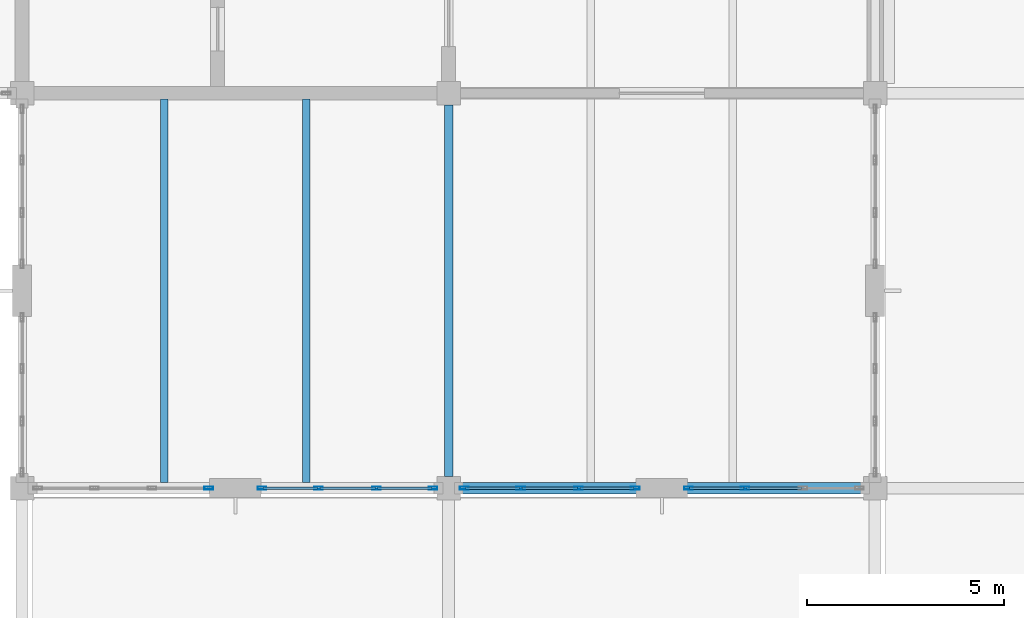
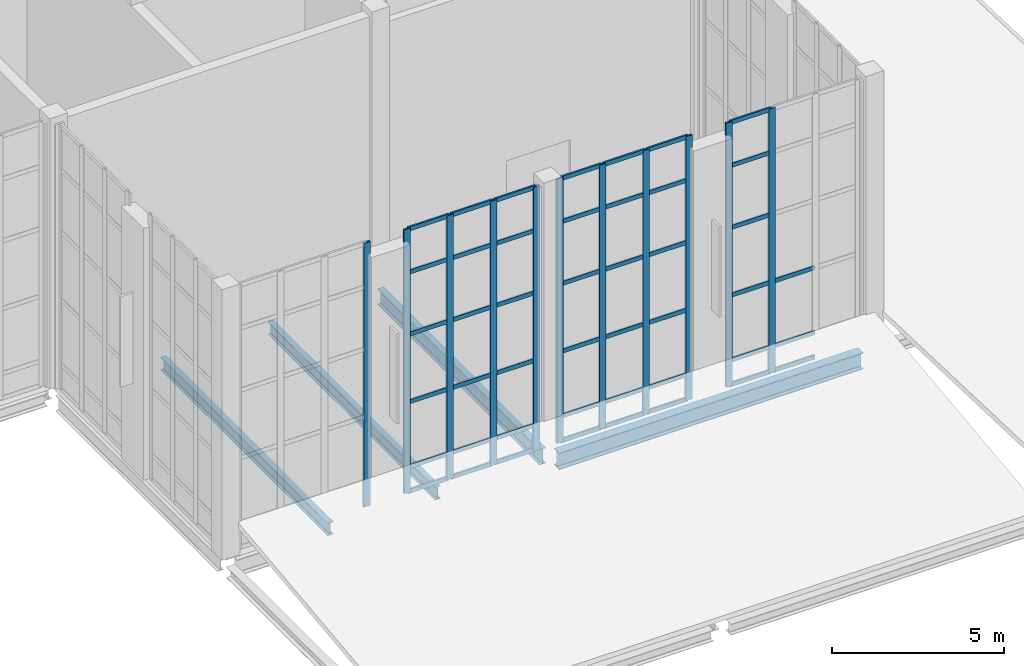
# One storey, part 35 of 100: 56 members, 4 beams, 4 elements without a shape of their own.
"""IFC4 building model written with IfcOpenShell, lengths in metres."""

import ifcopenshell
import ifcopenshell.guid

model = None  # the IFC model being written
_history = None  # IfcOwnerHistory: only IFC2X3 demands one
_inside = {}  # id of a spatial element -> (the spatial element, [elements in it])
_under = {}  # id of a project, library or spatial element -> (it, [spatial elements below it])
_declared = {}  # id of a project -> (the project, [libraries it declares])
_typed = {}  # id of a type object -> (the type object, [elements of that type])
_made_of = {}  # id of a material, layer set ... -> (it, [elements and type objects made of it])


def new_model(schema):
    """Start an empty IFC model of exactly this schema.

    Asked for "IFC4X3", IfcOpenShell would pick the latest addendum, in which some entities
    have other attributes; the version numbers below select the first issue.
    IFC2X3 requires an IfcOwnerHistory on every rooted entity: one is made here for all.
    """
    global model, _history
    if schema == "IFC4X3":
        model = ifcopenshell.file(schema_version=(4, 3, 0, 0))
    else:
        model = ifcopenshell.file(schema=schema)
    _inside.clear()
    _under.clear()
    _declared.clear()
    _typed.clear()
    _made_of.clear()
    _history = None
    if model.schema == "IFC2X3":
        org = make("IfcOrganization", Name="unknown")
        user = make(
            "IfcPersonAndOrganization",
            ThePerson=make("IfcPerson", FamilyName="unknown"),
            TheOrganization=org,
        )
        app = make(
            "IfcApplication",
            ApplicationDeveloper=org,
            Version="unknown",
            ApplicationFullName="unknown",
            ApplicationIdentifier="unknown",
        )
        _history = make(
            "IfcOwnerHistory",
            OwningUser=user,
            OwningApplication=app,
            ChangeAction="ADDED",
            CreationDate=0,
        )
    return model


def make(cls, **values):
    """One entity of the class cls with the attributes given. An attribute that is None is left unset."""
    return model.create_entity(
        cls, **{name: value for name, value in values.items() if value is not None}
    )


def rooted(cls, **values):
    """An entity with a GlobalId (a new one), such as an element, a storey or a relation."""
    return make(cls, GlobalId=ifcopenshell.guid.new(), OwnerHistory=_history, **values)


def si_unit(unit_type, name, prefix=None):
    """IfcSIUnit, for example si_unit("LENGTHUNIT", "METRE", prefix="MILLI")."""
    return make("IfcSIUnit", UnitType=unit_type, Prefix=prefix, Name=name)


def assignment(units):
    """IfcUnitAssignment: the units of a project."""
    return None if units is None else make("IfcUnitAssignment", Units=units)


def point(xyz):
    """IfcCartesianPoint."""
    return None if xyz is None else make("IfcCartesianPoint", Coordinates=xyz)


def direction(xyz):
    """IfcDirection."""
    return None if xyz is None else make("IfcDirection", DirectionRatios=xyz)


def frame(location, z_axis=None, x_axis=None):
    """IfcAxis2Placement3D, a coordinate frame: its origin and axes. An axis left out is left unset."""
    return make(
        "IfcAxis2Placement3D",
        Location=point(location),
        Axis=direction(z_axis),
        RefDirection=direction(x_axis),
    )


def frame_2d(location, x_axis=None):
    """IfcAxis2Placement2D, a coordinate frame in the plane: its origin and x axis."""
    return make(
        "IfcAxis2Placement2D", Location=point(location), RefDirection=direction(x_axis)
    )


def origin():
    """The frame at (0, 0, 0) with its axes left unset."""
    return frame((0.0, 0.0, 0.0))


def origin_2d():
    """The frame at (0, 0) in the plane with its x axis left unset."""
    return frame_2d((0.0, 0.0))


def place(relative_to, where):
    """IfcLocalPlacement: puts the frame where relative to a parent placement (None: the world)."""
    return make(
        "IfcLocalPlacement", PlacementRelTo=relative_to, RelativePlacement=where
    )


def context(
    kind, dimensions, precision=None, world=None, true_north=None, identifier=None
):
    """IfcGeometricRepresentationContext, for example the 3D "Model" context."""
    return make(
        "IfcGeometricRepresentationContext",
        ContextIdentifier=identifier,
        ContextType=kind,
        CoordinateSpaceDimension=dimensions,
        Precision=precision,
        WorldCoordinateSystem=world,
        TrueNorth=true_north,
    )


def subcontext(parent, identifier, kind, view, scale=None):
    """IfcGeometricRepresentationSubContext, for example "Body" below "Model"."""
    return make(
        "IfcGeometricRepresentationSubContext",
        ContextIdentifier=identifier,
        ContextType=kind,
        ParentContext=parent,
        TargetScale=scale,
        TargetView=view,
    )


def project(units=None, contexts=None):
    """IfcProject with its units and contexts."""
    return rooted(
        "IfcProject",
        Name="project",
        RepresentationContexts=contexts,
        UnitsInContext=assignment(units),
    )


def spatial(cls, under=None, at=None, **own):
    """A site, building, storey or space (cls), placed at a placement, below another one or the project."""
    s = rooted(cls, ObjectPlacement=at, **own)
    if under is not None:
        _under.setdefault(under.id(), (under, []))[1].append(s)
    return s


def profile(cls, at=None, kind="AREA", **sizes):
    """A parametric profile (cls). Its sizes go by their IFC names, for example OverallWidth=200.0."""
    return make(cls, ProfileType=kind, Position=at, **sizes)


def hollow_rectangle(**sizes):
    """IfcRectangleHollowProfileDef."""
    return profile("IfcRectangleHollowProfileDef", **sizes)


def i_section(**sizes):
    """IfcIShapeProfileDef."""
    return profile("IfcIShapeProfileDef", **sizes)


def extrude(swept, where, along, depth):
    """IfcExtrudedAreaSolid: the profile swept, set in the frame where, extruded along a direction by depth."""
    return make(
        "IfcExtrudedAreaSolid",
        SweptArea=swept,
        Position=where,
        ExtrudedDirection=direction(along),
        Depth=depth,
    )


def shape(context_of_items, identifier, shape_type, items):
    """IfcShapeRepresentation: the items that make up one representation, for example the "Body"."""
    return make(
        "IfcShapeRepresentation",
        ContextOfItems=context_of_items,
        RepresentationIdentifier=identifier,
        RepresentationType=shape_type,
        Items=items,
    )


def material(Name=None, Category=None):
    """IfcMaterial."""
    return make("IfcMaterial", Name=Name, Category=Category)


def layer(
    of_material, thickness, ventilated=None, Name=None, Category=None, Priority=None
):
    """IfcMaterialLayer: one layer of a wall or slab, of a material (None: an air gap)."""
    return make(
        "IfcMaterialLayer",
        Material=of_material,
        LayerThickness=thickness,
        IsVentilated=ventilated,
        Name=Name,
        Category=Category,
        Priority=Priority,
    )


def layer_set(layers, Name=None):
    """IfcMaterialLayerSet."""
    return make("IfcMaterialLayerSet", MaterialLayers=layers, LayerSetName=Name)


def material_profile(
    of_material, cross_section, Name=None, Category=None, Priority=None
):
    """IfcMaterialProfile: a cross section and its material."""
    return make(
        "IfcMaterialProfile",
        Name=Name,
        Material=of_material,
        Profile=cross_section,
        Priority=Priority,
        Category=Category,
    )


def profile_set(profiles, Name=None, composite=None):
    """IfcMaterialProfileSet."""
    return make(
        "IfcMaterialProfileSet",
        Name=Name,
        MaterialProfiles=profiles,
        CompositeProfile=composite,
    )


def made_of(thing, what):
    """Note that an element or type object is made of a material, layer set ...; save() writes the relation."""
    if what is not None:
        _made_of.setdefault(what.id(), (what, []))[1].append(thing)
    return thing


def type_object(cls, material=None, **own):
    """A type object (cls), such as IfcWallType, which elements share."""
    return made_of(rooted(cls, **own), material)


def element(
    cls,
    number,
    at=None,
    inside=None,
    cuts=None,
    type_object=None,
    material=None,
    context=None,
    identifier="Body",
    shape_type=None,
    held_by="IfcProductDefinitionShape",
    body=None,
    shapes=None,
    **own,
):
    """One element of the class cls, such as IfcWall. Its Tag is "e" and its number.

    at: its placement. inside: the storey or other place that contains it. cuts: it is an
    opening in that element (IfcRelVoidsElement). A single representation is given by context,
    identifier, shape_type and body (its items); several are given by shapes. held_by: the class
    of the entity that holds the representations. save() writes the other relations.
    """
    e = rooted(cls, Tag="e%d" % number, ObjectPlacement=at, **own)
    if body is not None:
        shapes = [shape(context, identifier, shape_type, body)]
    if shapes is not None:
        e.Representation = make(held_by, Representations=shapes)
    if inside is not None:
        _inside.setdefault(inside.id(), (inside, []))[1].append(e)
    if cuts is not None:
        rooted(
            "IfcRelVoidsElement", RelatingBuildingElement=cuts, RelatedOpeningElement=e
        )
    if type_object is not None:
        _typed.setdefault(type_object.id(), (type_object, []))[1].append(e)
    return made_of(e, material)


def aggregate(whole, parts):
    """IfcRelAggregates: a whole, such as a stair, and the parts it consists of."""
    return rooted("IfcRelAggregates", RelatingObject=whole, RelatedObjects=parts)


def save(model, path):
    """Write the relations noted so far, then the file.

    IfcRelAggregates (storeys below a building ...), IfcRelContainedInSpatialStructure (elements
    in a storey), IfcRelDefinesByType, IfcRelAssociatesMaterial and IfcRelDeclares: one each for
    every whole, place, type object, material and project.
    """
    for whole, parts in _under.values():
        aggregate(whole, parts)
    for where, things in _inside.values():
        rooted(
            "IfcRelContainedInSpatialStructure",
            RelatedElements=things,
            RelatingStructure=where,
        )
    for kind, things in _typed.values():
        rooted("IfcRelDefinesByType", RelatedObjects=things, RelatingType=kind)
    for what, things in _made_of.values():
        rooted("IfcRelAssociatesMaterial", RelatedObjects=things, RelatingMaterial=what)
    for by, libraries in _declared.values():
        rooted("IfcRelDeclares", RelatingContext=by, RelatedDefinitions=libraries)
    model.write(path)


model = new_model("IFC4")

# Units and contexts
model_context = context("Model", 3, precision=1e-05, world=origin(), true_north=direction((0.0, 1.0)))
body_context = subcontext(model_context, "Body", "Model", "MODEL_VIEW")
ifc_project = project(units=[si_unit("LENGTHUNIT", "METRE"), si_unit("AREAUNIT", "SQUARE_METRE"), si_unit("VOLUMEUNIT", "CUBIC_METRE"), si_unit("PLANEANGLEUNIT", "RADIAN"), si_unit("MASSUNIT", "GRAM", prefix="KILO")], contexts=[model_context])

# Site, building, storey
site_placement = place(None, origin())
site = spatial("IfcSite", under=ifc_project, at=site_placement, CompositionType="ELEMENT")
building_placement = place(site_placement, origin())
building = spatial("IfcBuilding", under=site, at=building_placement, Name="Tasgan Crest Museum", CompositionType="ELEMENT")
storey_placement = place(building_placement, frame((0.0, 0.0, 14.39990234375)))
storey = spatial("IfcBuildingStorey", under=building, at=storey_placement, Name="L03", CompositionType="ELEMENT", Elevation=14.39990234375)

# Beams
ifc_material_1 = material(Name="Steel S355J2", Category="steel")
ifc_material_profile_1 = material_profile(ifc_material_1, i_section(OverallWidth=0.300048828125, OverallDepth=0.590087890625, WebThickness=0.012939453125, FlangeThickness=0.02490234375, FilletRadius=0.027099609375, at=origin_2d()), Name="HEA 600")
ifc_profile_set_1 = profile_set([ifc_material_profile_1], Name="Steel S355J2")
beam_type_1 = type_object("IfcBeamType", Name="BM-G-HEA600", PredefinedType="BEAM", material=ifc_profile_set_1)
beam_1_placement = place(storey_placement, frame((119.095947265625, 30.0, -0.574951171875), z_axis=(1.0, 0.0, 0.0), x_axis=(0.0, 1.0, 0.0)))
element("IfcBeam", 1, at=beam_1_placement, inside=storey, type_object=beam_type_1, Name="Girder L03 D 118.8-129.6", PredefinedType="BEAM", context=body_context, shape_type="SweptSolid", body=[
    extrude(i_section(OverallWidth=0.300048828125, OverallDepth=0.590087890625, WebThickness=0.012939453125, FlangeThickness=0.02490234375, FilletRadius=0.027099609375, at=origin_2d()), origin(), (0.0, 0.0, 1.0), 10.2080078125),
])
ifc_material_2 = material(Name="Steel S355J2", Category="steel")
ifc_material_profile_2 = material_profile(ifc_material_2, i_section(OverallWidth=0.2099609375, OverallDepth=0.550048828125, WebThickness=0.010986328125, FlangeThickness=0.01708984375, FilletRadius=0.02392578125, at=origin_2d()), Name="IPE 550")
ifc_profile_set_2 = profile_set([ifc_material_profile_2], Name="Steel S355J2")
beam_type_2 = type_object("IfcBeamType", Name="BM-G-IPE550", PredefinedType="BEAM", material=ifc_profile_set_2)
beam_2_placement = place(storey_placement, frame((118.800048828125, 30.294921875, -0.554931640625), z_axis=(0.0, 1.0, 0.0), x_axis=(-1.0, 0.0, 0.0)))
element("IfcBeam", 2, at=beam_2_placement, inside=storey, type_object=beam_type_2, Name="Beam L03 12 30.0-40.0", PredefinedType="BEAM", context=body_context, shape_type="SweptSolid", body=[
    extrude(i_section(OverallWidth=0.2099609375, OverallDepth=0.550048828125, WebThickness=0.010986328125, FlangeThickness=0.01708984375, FilletRadius=0.02392578125, at=origin_2d()), origin(), (0.0, 0.0, 1.0), 9.41015625),
])
ifc_material_3 = material(Name="Steel S355J2", Category="steel")
ifc_material_profile_3 = material_profile(ifc_material_3, i_section(OverallWidth=0.18994140625, OverallDepth=0.449951171875, WebThickness=0.009521484375, FlangeThickness=0.0146484375, FilletRadius=0.02099609375, at=origin_2d()), Name="IPE 450")
ifc_profile_set_3 = profile_set([ifc_material_profile_3], Name="Steel S355J2")
beam_type_3 = type_object("IfcBeamType", Name="BM-J-IPE450", PredefinedType="JOIST", material=ifc_profile_set_3)
for number, where, z_axis, x_axis, name in (
    (3, (111.60009765625, 30.14501953125, -0.5048828125), (0.0, 1.0, 0.0), (-1.0, 0.0, 0.0), "Secondary joist L03 X=111.6 Y=30.0-40.0"),
    (4, (115.199951171875, 30.14501953125, -0.5048828125), (0.0, 1.0, 0.0), (-1.0, 0.0, 0.0), "Secondary joist L03 X=115.2 Y=30.0-40.0"),
):
    element("IfcBeam", number, at=place(storey_placement, frame(where, z_axis=z_axis, x_axis=x_axis)), inside=storey, type_object=beam_type_3, Name=name, PredefinedType="JOIST", context=body_context, shape_type="SweptSolid", body=[
        extrude(i_section(OverallWidth=0.18994140625, OverallDepth=0.449951171875, WebThickness=0.009521484375, FlangeThickness=0.0146484375, FilletRadius=0.02099609375, at=origin_2d()), origin(), (0.0, 0.0, 1.0), 9.7099609375),
    ])

# Curtain wall, member
ifc_material_4 = material(Name="Triple-Glazed Aluminium Curtain Wall", Category="aluminium")
ifc_layer = layer(ifc_material_4, 0.179931640625, Name="CW-GAL-X-96")
ifc_layer_set = layer_set([ifc_layer], Name="Triple-Glazed Aluminium Curtain Wall")
curtain_wall_type = type_object("IfcCurtainWallType", Name="CW-GAL-X-96", PredefinedType="NOTDEFINED", material=ifc_layer_set)
curtain_wall_1_placement = place(storey_placement, origin())
curtain_wall_1 = element("IfcCurtainWall", 5, at=curtain_wall_1_placement, inside=storey, type_object=curtain_wall_type, Name="Curtain wall L03 113", PredefinedType="NOTDEFINED")
ifc_material_5 = material(Name="Anodised Aluminium", Category="aluminium")
ifc_material_profile_4 = material_profile(ifc_material_5, hollow_rectangle(XDim=0.074951171875, YDim=0.219970703125, WallThickness=0.006103515625, at=origin_2d()), Name="ALU MULLION 220x75x6")
ifc_profile_set_4 = profile_set([ifc_material_profile_4], Name="Anodised Aluminium")
member_type_1 = type_object("IfcMemberType", Name="CW-MULLION-220", PredefinedType="MULLION", material=ifc_profile_set_4)
member_1_placement = place(storey_placement, frame((112.72509765625, 30.0, 0.0), z_axis=(0.0, 0.0, 1.0), x_axis=(0.0, 1.0, 0.0)))
member_1 = element("IfcMember", 6, at=member_1_placement, type_object=member_type_1, Name="CW14 mullion 4", PredefinedType="MULLION", context=body_context, shape_type="SweptSolid", body=[
    extrude(hollow_rectangle(XDim=0.074951171875, YDim=0.219970703125, WallThickness=0.006103515625, at=origin_2d()), origin(), (0.0, 0.0, 1.0), 9.360107421875),
])
aggregate(curtain_wall_1, [member_1])

# Curtain wall, members
curtain_wall_2_placement = place(storey_placement, origin())
curtain_wall_2 = element("IfcCurtainWall", 7, at=curtain_wall_2_placement, inside=storey, type_object=curtain_wall_type, Name="Curtain wall L03 114", PredefinedType="NOTDEFINED")
member_2_placement = place(storey_placement, frame((114.074951171875, 30.0, 0.0), z_axis=(0.0, 0.0, 1.0), x_axis=(0.0, 1.0, 0.0)))
member_2 = element("IfcMember", 8, at=member_2_placement, type_object=member_type_1, Name="CW14 mullion 1", PredefinedType="MULLION", context=body_context, shape_type="SweptSolid", body=[
    extrude(hollow_rectangle(XDim=0.074951171875, YDim=0.219970703125, WallThickness=0.006103515625, at=origin_2d()), origin(), (0.0, 0.0, 1.0), 9.360107421875),
])
member_3_placement = place(storey_placement, frame((115.50830078125, 30.0, 0.0), z_axis=(0.0, 0.0, 1.0), x_axis=(0.0, 1.0, 0.0)))
member_3 = element("IfcMember", 9, at=member_3_placement, type_object=member_type_1, Name="CW14 mullion 2", PredefinedType="MULLION", context=body_context, shape_type="SweptSolid", body=[
    extrude(hollow_rectangle(XDim=0.074951171875, YDim=0.219970703125, WallThickness=0.006103515625, at=origin_2d()), origin(), (0.0, 0.0, 1.0), 9.360107421875),
])
member_4_placement = place(storey_placement, frame((116.9716796875, 30.0, 0.0), z_axis=(0.0, 0.0, 1.0), x_axis=(0.0, 1.0, 0.0)))
member_4 = element("IfcMember", 10, at=member_4_placement, type_object=member_type_1, Name="CW14 mullion 3", PredefinedType="MULLION", context=body_context, shape_type="SweptSolid", body=[
    extrude(hollow_rectangle(XDim=0.074951171875, YDim=0.219970703125, WallThickness=0.006103515625, at=origin_2d()), origin(), (0.0, 0.0, 1.0), 9.360107421875),
])
member_5_placement = place(storey_placement, frame((118.405029296875, 30.0, 0.0), z_axis=(0.0, 0.0, 1.0), x_axis=(0.0, 1.0, 0.0)))
member_5 = element("IfcMember", 11, at=member_5_placement, type_object=member_type_1, Name="CW14 mullion 4", PredefinedType="MULLION", context=body_context, shape_type="SweptSolid", body=[
    extrude(hollow_rectangle(XDim=0.074951171875, YDim=0.219970703125, WallThickness=0.006103515625, at=origin_2d()), origin(), (0.0, 0.0, 1.0), 9.360107421875),
])

curtain_wall_3_placement = place(storey_placement, origin())
curtain_wall_3 = element("IfcCurtainWall", 12, at=curtain_wall_3_placement, inside=storey, type_object=curtain_wall_type, Name="Curtain wall L03 115", PredefinedType="NOTDEFINED")
member_6_placement = place(storey_placement, frame((119.195068359375, 30.0, 0.0), z_axis=(0.0, 0.0, 1.0), x_axis=(0.0, 1.0, 0.0)))
member_6 = element("IfcMember", 13, at=member_6_placement, type_object=member_type_1, Name="CW14 mullion 1", PredefinedType="MULLION", context=body_context, shape_type="SweptSolid", body=[
    extrude(hollow_rectangle(XDim=0.074951171875, YDim=0.219970703125, WallThickness=0.006103515625, at=origin_2d()), origin(), (0.0, 0.0, 1.0), 9.360107421875),
])
member_7_placement = place(storey_placement, frame((120.62841796875, 30.0, 0.0), z_axis=(0.0, 0.0, 1.0), x_axis=(0.0, 1.0, 0.0)))
member_7 = element("IfcMember", 14, at=member_7_placement, type_object=member_type_1, Name="CW14 mullion 2", PredefinedType="MULLION", context=body_context, shape_type="SweptSolid", body=[
    extrude(hollow_rectangle(XDim=0.074951171875, YDim=0.219970703125, WallThickness=0.006103515625, at=origin_2d()), origin(), (0.0, 0.0, 1.0), 9.360107421875),
])
member_8_placement = place(storey_placement, frame((122.091552734375, 30.0, 0.0), z_axis=(0.0, 0.0, 1.0), x_axis=(0.0, 1.0, 0.0)))
member_8 = element("IfcMember", 15, at=member_8_placement, type_object=member_type_1, Name="CW14 mullion 3", PredefinedType="MULLION", context=body_context, shape_type="SweptSolid", body=[
    extrude(hollow_rectangle(XDim=0.074951171875, YDim=0.219970703125, WallThickness=0.006103515625, at=origin_2d()), origin(), (0.0, 0.0, 1.0), 9.360107421875),
])
member_9_placement = place(storey_placement, frame((123.52490234375, 30.0, 0.0), z_axis=(0.0, 0.0, 1.0), x_axis=(0.0, 1.0, 0.0)))
member_9 = element("IfcMember", 16, at=member_9_placement, type_object=member_type_1, Name="CW14 mullion 4", PredefinedType="MULLION", context=body_context, shape_type="SweptSolid", body=[
    extrude(hollow_rectangle(XDim=0.074951171875, YDim=0.219970703125, WallThickness=0.006103515625, at=origin_2d()), origin(), (0.0, 0.0, 1.0), 9.360107421875),
])

curtain_wall_4_placement = place(storey_placement, origin())
curtain_wall_4 = element("IfcCurtainWall", 17, at=curtain_wall_4_placement, inside=storey, type_object=curtain_wall_type, Name="Curtain wall L03 116", PredefinedType="NOTDEFINED")
member_10_placement = place(storey_placement, frame((124.875, 30.0, 0.0), z_axis=(0.0, 0.0, 1.0), x_axis=(0.0, 1.0, 0.0)))
member_10 = element("IfcMember", 18, at=member_10_placement, type_object=member_type_1, Name="CW14 mullion 1", PredefinedType="MULLION", context=body_context, shape_type="SweptSolid", body=[
    extrude(hollow_rectangle(XDim=0.074951171875, YDim=0.219970703125, WallThickness=0.006103515625, at=origin_2d()), origin(), (0.0, 0.0, 1.0), 9.360107421875),
])
member_11_placement = place(storey_placement, frame((126.308349609375, 30.0, 0.0), z_axis=(0.0, 0.0, 1.0), x_axis=(0.0, 1.0, 0.0)))
member_11 = element("IfcMember", 19, at=member_11_placement, type_object=member_type_1, Name="CW14 mullion 2", PredefinedType="MULLION", context=body_context, shape_type="SweptSolid", body=[
    extrude(hollow_rectangle(XDim=0.074951171875, YDim=0.219970703125, WallThickness=0.006103515625, at=origin_2d()), origin(), (0.0, 0.0, 1.0), 9.360107421875),
])

# Member
ifc_material_6 = material(Name="Anodised Aluminium", Category="aluminium")
ifc_material_profile_5 = material_profile(ifc_material_6, hollow_rectangle(XDim=0.06005859375, YDim=0.14990234375, WallThickness=0.0048828125, at=origin_2d()), Name="ALU TRANSOM 150x60x5")
ifc_profile_set_5 = profile_set([ifc_material_profile_5], Name="Anodised Aluminium")
member_type_2 = type_object("IfcMemberType", Name="CW-TRANSOM-150", PredefinedType="USERDEFINED", material=ifc_profile_set_5)
member_12_placement = place(storey_placement, frame((114.10498046875, 30.0, 0.030029296875), z_axis=(1.0, 0.0, 0.0), x_axis=(0.0, 1.0, 0.0)))
member_12 = element("IfcMember", 20, at=member_12_placement, type_object=member_type_2, Name="CW14 transom 1.1", ObjectType="TRANSOM", PredefinedType="USERDEFINED", context=body_context, shape_type="SweptSolid", body=[
    extrude(hollow_rectangle(XDim=0.06005859375, YDim=0.14990234375, WallThickness=0.0048828125, at=origin_2d()), origin(), (0.0, 0.0, 1.0), 1.373291015625),
])

member_13_placement = place(storey_placement, frame((114.10498046875, 30.0, 0.900146484375), z_axis=(1.0, 0.0, 0.0), x_axis=(0.0, 1.0, 0.0)))
member_13 = element("IfcMember", 21, at=member_13_placement, type_object=member_type_2, Name="CW14 transom 1.2", ObjectType="TRANSOM", PredefinedType="USERDEFINED", context=body_context, shape_type="SweptSolid", body=[
    extrude(hollow_rectangle(XDim=0.06005859375, YDim=0.14990234375, WallThickness=0.0048828125, at=origin_2d()), origin(), (0.0, 0.0, 1.0), 1.373291015625),
])

member_14_placement = place(storey_placement, frame((114.10498046875, 30.0, 3.2001953125), z_axis=(1.0, 0.0, 0.0), x_axis=(0.0, 1.0, 0.0)))
member_14 = element("IfcMember", 22, at=member_14_placement, type_object=member_type_2, Name="CW14 transom 1.3", ObjectType="TRANSOM", PredefinedType="USERDEFINED", context=body_context, shape_type="SweptSolid", body=[
    extrude(hollow_rectangle(XDim=0.06005859375, YDim=0.14990234375, WallThickness=0.0048828125, at=origin_2d()), origin(), (0.0, 0.0, 1.0), 1.373291015625),
])

member_15_placement = place(storey_placement, frame((114.10498046875, 30.0, 5.60009765625), z_axis=(1.0, 0.0, 0.0), x_axis=(0.0, 1.0, 0.0)))
member_15 = element("IfcMember", 23, at=member_15_placement, type_object=member_type_2, Name="CW14 transom 1.4", ObjectType="TRANSOM", PredefinedType="USERDEFINED", context=body_context, shape_type="SweptSolid", body=[
    extrude(hollow_rectangle(XDim=0.06005859375, YDim=0.14990234375, WallThickness=0.0048828125, at=origin_2d()), origin(), (0.0, 0.0, 1.0), 1.373291015625),
])

member_16_placement = place(storey_placement, frame((114.10498046875, 30.0, 7.800048828125), z_axis=(1.0, 0.0, 0.0), x_axis=(0.0, 1.0, 0.0)))
member_16 = element("IfcMember", 24, at=member_16_placement, type_object=member_type_2, Name="CW14 transom 1.5", ObjectType="TRANSOM", PredefinedType="USERDEFINED", context=body_context, shape_type="SweptSolid", body=[
    extrude(hollow_rectangle(XDim=0.06005859375, YDim=0.14990234375, WallThickness=0.0048828125, at=origin_2d()), origin(), (0.0, 0.0, 1.0), 1.373291015625),
])

member_17_placement = place(storey_placement, frame((114.10498046875, 30.0, 9.330078125), z_axis=(1.0, 0.0, 0.0), x_axis=(0.0, 1.0, 0.0)))
member_17 = element("IfcMember", 25, at=member_17_placement, type_object=member_type_2, Name="CW14 transom 1.6", ObjectType="TRANSOM", PredefinedType="USERDEFINED", context=body_context, shape_type="SweptSolid", body=[
    extrude(hollow_rectangle(XDim=0.06005859375, YDim=0.14990234375, WallThickness=0.0048828125, at=origin_2d()), origin(), (0.0, 0.0, 1.0), 1.373291015625),
])

member_18_placement = place(storey_placement, frame((115.538330078125, 30.0, 0.030029296875), z_axis=(1.0, 0.0, 0.0), x_axis=(0.0, 1.0, 0.0)))
member_18 = element("IfcMember", 26, at=member_18_placement, type_object=member_type_2, Name="CW14 transom 2.1", ObjectType="TRANSOM", PredefinedType="USERDEFINED", context=body_context, shape_type="SweptSolid", body=[
    extrude(hollow_rectangle(XDim=0.06005859375, YDim=0.14990234375, WallThickness=0.0048828125, at=origin_2d()), origin(), (0.0, 0.0, 1.0), 1.4033203125),
])

member_19_placement = place(storey_placement, frame((115.538330078125, 30.0, 0.900146484375), z_axis=(1.0, 0.0, 0.0), x_axis=(0.0, 1.0, 0.0)))
member_19 = element("IfcMember", 27, at=member_19_placement, type_object=member_type_2, Name="CW14 transom 2.2", ObjectType="TRANSOM", PredefinedType="USERDEFINED", context=body_context, shape_type="SweptSolid", body=[
    extrude(hollow_rectangle(XDim=0.06005859375, YDim=0.14990234375, WallThickness=0.0048828125, at=origin_2d()), origin(), (0.0, 0.0, 1.0), 1.4033203125),
])

member_20_placement = place(storey_placement, frame((115.538330078125, 30.0, 3.2001953125), z_axis=(1.0, 0.0, 0.0), x_axis=(0.0, 1.0, 0.0)))
member_20 = element("IfcMember", 28, at=member_20_placement, type_object=member_type_2, Name="CW14 transom 2.3", ObjectType="TRANSOM", PredefinedType="USERDEFINED", context=body_context, shape_type="SweptSolid", body=[
    extrude(hollow_rectangle(XDim=0.06005859375, YDim=0.14990234375, WallThickness=0.0048828125, at=origin_2d()), origin(), (0.0, 0.0, 1.0), 1.4033203125),
])

member_21_placement = place(storey_placement, frame((115.538330078125, 30.0, 5.60009765625), z_axis=(1.0, 0.0, 0.0), x_axis=(0.0, 1.0, 0.0)))
member_21 = element("IfcMember", 29, at=member_21_placement, type_object=member_type_2, Name="CW14 transom 2.4", ObjectType="TRANSOM", PredefinedType="USERDEFINED", context=body_context, shape_type="SweptSolid", body=[
    extrude(hollow_rectangle(XDim=0.06005859375, YDim=0.14990234375, WallThickness=0.0048828125, at=origin_2d()), origin(), (0.0, 0.0, 1.0), 1.4033203125),
])

member_22_placement = place(storey_placement, frame((115.538330078125, 30.0, 7.800048828125), z_axis=(1.0, 0.0, 0.0), x_axis=(0.0, 1.0, 0.0)))
member_22 = element("IfcMember", 30, at=member_22_placement, type_object=member_type_2, Name="CW14 transom 2.5", ObjectType="TRANSOM", PredefinedType="USERDEFINED", context=body_context, shape_type="SweptSolid", body=[
    extrude(hollow_rectangle(XDim=0.06005859375, YDim=0.14990234375, WallThickness=0.0048828125, at=origin_2d()), origin(), (0.0, 0.0, 1.0), 1.4033203125),
])

member_23_placement = place(storey_placement, frame((115.538330078125, 30.0, 9.330078125), z_axis=(1.0, 0.0, 0.0), x_axis=(0.0, 1.0, 0.0)))
member_23 = element("IfcMember", 31, at=member_23_placement, type_object=member_type_2, Name="CW14 transom 2.6", ObjectType="TRANSOM", PredefinedType="USERDEFINED", context=body_context, shape_type="SweptSolid", body=[
    extrude(hollow_rectangle(XDim=0.06005859375, YDim=0.14990234375, WallThickness=0.0048828125, at=origin_2d()), origin(), (0.0, 0.0, 1.0), 1.4033203125),
])

member_24_placement = place(storey_placement, frame((117.001708984375, 30.0, 0.030029296875), z_axis=(1.0, 0.0, 0.0), x_axis=(0.0, 1.0, 0.0)))
member_24 = element("IfcMember", 32, at=member_24_placement, type_object=member_type_2, Name="CW14 transom 3.1", ObjectType="TRANSOM", PredefinedType="USERDEFINED", context=body_context, shape_type="SweptSolid", body=[
    extrude(hollow_rectangle(XDim=0.06005859375, YDim=0.14990234375, WallThickness=0.0048828125, at=origin_2d()), origin(), (0.0, 0.0, 1.0), 1.373291015625),
])

member_25_placement = place(storey_placement, frame((117.001708984375, 30.0, 0.900146484375), z_axis=(1.0, 0.0, 0.0), x_axis=(0.0, 1.0, 0.0)))
member_25 = element("IfcMember", 33, at=member_25_placement, type_object=member_type_2, Name="CW14 transom 3.2", ObjectType="TRANSOM", PredefinedType="USERDEFINED", context=body_context, shape_type="SweptSolid", body=[
    extrude(hollow_rectangle(XDim=0.06005859375, YDim=0.14990234375, WallThickness=0.0048828125, at=origin_2d()), origin(), (0.0, 0.0, 1.0), 1.373291015625),
])

member_26_placement = place(storey_placement, frame((117.001708984375, 30.0, 3.2001953125), z_axis=(1.0, 0.0, 0.0), x_axis=(0.0, 1.0, 0.0)))
member_26 = element("IfcMember", 34, at=member_26_placement, type_object=member_type_2, Name="CW14 transom 3.3", ObjectType="TRANSOM", PredefinedType="USERDEFINED", context=body_context, shape_type="SweptSolid", body=[
    extrude(hollow_rectangle(XDim=0.06005859375, YDim=0.14990234375, WallThickness=0.0048828125, at=origin_2d()), origin(), (0.0, 0.0, 1.0), 1.373291015625),
])

member_27_placement = place(storey_placement, frame((117.001708984375, 30.0, 5.60009765625), z_axis=(1.0, 0.0, 0.0), x_axis=(0.0, 1.0, 0.0)))
member_27 = element("IfcMember", 35, at=member_27_placement, type_object=member_type_2, Name="CW14 transom 3.4", ObjectType="TRANSOM", PredefinedType="USERDEFINED", context=body_context, shape_type="SweptSolid", body=[
    extrude(hollow_rectangle(XDim=0.06005859375, YDim=0.14990234375, WallThickness=0.0048828125, at=origin_2d()), origin(), (0.0, 0.0, 1.0), 1.373291015625),
])

member_28_placement = place(storey_placement, frame((117.001708984375, 30.0, 7.800048828125), z_axis=(1.0, 0.0, 0.0), x_axis=(0.0, 1.0, 0.0)))
member_28 = element("IfcMember", 36, at=member_28_placement, type_object=member_type_2, Name="CW14 transom 3.5", ObjectType="TRANSOM", PredefinedType="USERDEFINED", context=body_context, shape_type="SweptSolid", body=[
    extrude(hollow_rectangle(XDim=0.06005859375, YDim=0.14990234375, WallThickness=0.0048828125, at=origin_2d()), origin(), (0.0, 0.0, 1.0), 1.373291015625),
])

member_29_placement = place(storey_placement, frame((117.001708984375, 30.0, 9.330078125), z_axis=(1.0, 0.0, 0.0), x_axis=(0.0, 1.0, 0.0)))
member_29 = element("IfcMember", 37, at=member_29_placement, type_object=member_type_2, Name="CW14 transom 3.6", ObjectType="TRANSOM", PredefinedType="USERDEFINED", context=body_context, shape_type="SweptSolid", body=[
    extrude(hollow_rectangle(XDim=0.06005859375, YDim=0.14990234375, WallThickness=0.0048828125, at=origin_2d()), origin(), (0.0, 0.0, 1.0), 1.373291015625),
])

aggregate(curtain_wall_2, [member_2, member_3, member_4, member_5, member_12, member_13, member_14, member_15, member_16, member_17, member_18, member_19, member_20, member_21, member_22, member_23, member_24, member_25, member_26, member_27, member_28, member_29])

member_30_placement = place(storey_placement, frame((119.22509765625, 30.0, 0.030029296875), z_axis=(1.0, 0.0, 0.0), x_axis=(0.0, 1.0, 0.0)))
member_30 = element("IfcMember", 38, at=member_30_placement, type_object=member_type_2, Name="CW14 transom 1.1", ObjectType="TRANSOM", PredefinedType="USERDEFINED", context=body_context, shape_type="SweptSolid", body=[
    extrude(hollow_rectangle(XDim=0.06005859375, YDim=0.14990234375, WallThickness=0.0048828125, at=origin_2d()), origin(), (0.0, 0.0, 1.0), 1.373291015625),
])

member_31_placement = place(storey_placement, frame((119.22509765625, 30.0, 0.900146484375), z_axis=(1.0, 0.0, 0.0), x_axis=(0.0, 1.0, 0.0)))
member_31 = element("IfcMember", 39, at=member_31_placement, type_object=member_type_2, Name="CW14 transom 1.2", ObjectType="TRANSOM", PredefinedType="USERDEFINED", context=body_context, shape_type="SweptSolid", body=[
    extrude(hollow_rectangle(XDim=0.06005859375, YDim=0.14990234375, WallThickness=0.0048828125, at=origin_2d()), origin(), (0.0, 0.0, 1.0), 1.373291015625),
])

member_32_placement = place(storey_placement, frame((119.22509765625, 30.0, 3.2001953125), z_axis=(1.0, 0.0, 0.0), x_axis=(0.0, 1.0, 0.0)))
member_32 = element("IfcMember", 40, at=member_32_placement, type_object=member_type_2, Name="CW14 transom 1.3", ObjectType="TRANSOM", PredefinedType="USERDEFINED", context=body_context, shape_type="SweptSolid", body=[
    extrude(hollow_rectangle(XDim=0.06005859375, YDim=0.14990234375, WallThickness=0.0048828125, at=origin_2d()), origin(), (0.0, 0.0, 1.0), 1.373291015625),
])

member_33_placement = place(storey_placement, frame((119.22509765625, 30.0, 5.60009765625), z_axis=(1.0, 0.0, 0.0), x_axis=(0.0, 1.0, 0.0)))
member_33 = element("IfcMember", 41, at=member_33_placement, type_object=member_type_2, Name="CW14 transom 1.4", ObjectType="TRANSOM", PredefinedType="USERDEFINED", context=body_context, shape_type="SweptSolid", body=[
    extrude(hollow_rectangle(XDim=0.06005859375, YDim=0.14990234375, WallThickness=0.0048828125, at=origin_2d()), origin(), (0.0, 0.0, 1.0), 1.373291015625),
])

member_34_placement = place(storey_placement, frame((119.22509765625, 30.0, 7.800048828125), z_axis=(1.0, 0.0, 0.0), x_axis=(0.0, 1.0, 0.0)))
member_34 = element("IfcMember", 42, at=member_34_placement, type_object=member_type_2, Name="CW14 transom 1.5", ObjectType="TRANSOM", PredefinedType="USERDEFINED", context=body_context, shape_type="SweptSolid", body=[
    extrude(hollow_rectangle(XDim=0.06005859375, YDim=0.14990234375, WallThickness=0.0048828125, at=origin_2d()), origin(), (0.0, 0.0, 1.0), 1.373291015625),
])

member_35_placement = place(storey_placement, frame((119.22509765625, 30.0, 9.330078125), z_axis=(1.0, 0.0, 0.0), x_axis=(0.0, 1.0, 0.0)))
member_35 = element("IfcMember", 43, at=member_35_placement, type_object=member_type_2, Name="CW14 transom 1.6", ObjectType="TRANSOM", PredefinedType="USERDEFINED", context=body_context, shape_type="SweptSolid", body=[
    extrude(hollow_rectangle(XDim=0.06005859375, YDim=0.14990234375, WallThickness=0.0048828125, at=origin_2d()), origin(), (0.0, 0.0, 1.0), 1.373291015625),
])

member_36_placement = place(storey_placement, frame((120.658447265625, 30.0, 0.030029296875), z_axis=(1.0, 0.0, 0.0), x_axis=(0.0, 1.0, 0.0)))
member_36 = element("IfcMember", 44, at=member_36_placement, type_object=member_type_2, Name="CW14 transom 2.1", ObjectType="TRANSOM", PredefinedType="USERDEFINED", context=body_context, shape_type="SweptSolid", body=[
    extrude(hollow_rectangle(XDim=0.06005859375, YDim=0.14990234375, WallThickness=0.0048828125, at=origin_2d()), origin(), (0.0, 0.0, 1.0), 1.4033203125),
])

member_37_placement = place(storey_placement, frame((120.658447265625, 30.0, 0.900146484375), z_axis=(1.0, 0.0, 0.0), x_axis=(0.0, 1.0, 0.0)))
member_37 = element("IfcMember", 45, at=member_37_placement, type_object=member_type_2, Name="CW14 transom 2.2", ObjectType="TRANSOM", PredefinedType="USERDEFINED", context=body_context, shape_type="SweptSolid", body=[
    extrude(hollow_rectangle(XDim=0.06005859375, YDim=0.14990234375, WallThickness=0.0048828125, at=origin_2d()), origin(), (0.0, 0.0, 1.0), 1.4033203125),
])

member_38_placement = place(storey_placement, frame((120.658447265625, 30.0, 3.2001953125), z_axis=(1.0, 0.0, 0.0), x_axis=(0.0, 1.0, 0.0)))
member_38 = element("IfcMember", 46, at=member_38_placement, type_object=member_type_2, Name="CW14 transom 2.3", ObjectType="TRANSOM", PredefinedType="USERDEFINED", context=body_context, shape_type="SweptSolid", body=[
    extrude(hollow_rectangle(XDim=0.06005859375, YDim=0.14990234375, WallThickness=0.0048828125, at=origin_2d()), origin(), (0.0, 0.0, 1.0), 1.4033203125),
])

member_39_placement = place(storey_placement, frame((120.658447265625, 30.0, 5.60009765625), z_axis=(1.0, 0.0, 0.0), x_axis=(0.0, 1.0, 0.0)))
member_39 = element("IfcMember", 47, at=member_39_placement, type_object=member_type_2, Name="CW14 transom 2.4", ObjectType="TRANSOM", PredefinedType="USERDEFINED", context=body_context, shape_type="SweptSolid", body=[
    extrude(hollow_rectangle(XDim=0.06005859375, YDim=0.14990234375, WallThickness=0.0048828125, at=origin_2d()), origin(), (0.0, 0.0, 1.0), 1.4033203125),
])

member_40_placement = place(storey_placement, frame((120.658447265625, 30.0, 7.800048828125), z_axis=(1.0, 0.0, 0.0), x_axis=(0.0, 1.0, 0.0)))
member_40 = element("IfcMember", 48, at=member_40_placement, type_object=member_type_2, Name="CW14 transom 2.5", ObjectType="TRANSOM", PredefinedType="USERDEFINED", context=body_context, shape_type="SweptSolid", body=[
    extrude(hollow_rectangle(XDim=0.06005859375, YDim=0.14990234375, WallThickness=0.0048828125, at=origin_2d()), origin(), (0.0, 0.0, 1.0), 1.4033203125),
])

member_41_placement = place(storey_placement, frame((120.658447265625, 30.0, 9.330078125), z_axis=(1.0, 0.0, 0.0), x_axis=(0.0, 1.0, 0.0)))
member_41 = element("IfcMember", 49, at=member_41_placement, type_object=member_type_2, Name="CW14 transom 2.6", ObjectType="TRANSOM", PredefinedType="USERDEFINED", context=body_context, shape_type="SweptSolid", body=[
    extrude(hollow_rectangle(XDim=0.06005859375, YDim=0.14990234375, WallThickness=0.0048828125, at=origin_2d()), origin(), (0.0, 0.0, 1.0), 1.4033203125),
])

member_42_placement = place(storey_placement, frame((122.12158203125, 30.0, 0.030029296875), z_axis=(1.0, 0.0, 0.0), x_axis=(0.0, 1.0, 0.0)))
member_42 = element("IfcMember", 50, at=member_42_placement, type_object=member_type_2, Name="CW14 transom 3.1", ObjectType="TRANSOM", PredefinedType="USERDEFINED", context=body_context, shape_type="SweptSolid", body=[
    extrude(hollow_rectangle(XDim=0.06005859375, YDim=0.14990234375, WallThickness=0.0048828125, at=origin_2d()), origin(), (0.0, 0.0, 1.0), 1.37353515625),
])

member_43_placement = place(storey_placement, frame((122.12158203125, 30.0, 0.900146484375), z_axis=(1.0, 0.0, 0.0), x_axis=(0.0, 1.0, 0.0)))
member_43 = element("IfcMember", 51, at=member_43_placement, type_object=member_type_2, Name="CW14 transom 3.2", ObjectType="TRANSOM", PredefinedType="USERDEFINED", context=body_context, shape_type="SweptSolid", body=[
    extrude(hollow_rectangle(XDim=0.06005859375, YDim=0.14990234375, WallThickness=0.0048828125, at=origin_2d()), origin(), (0.0, 0.0, 1.0), 1.37353515625),
])

member_44_placement = place(storey_placement, frame((122.12158203125, 30.0, 3.2001953125), z_axis=(1.0, 0.0, 0.0), x_axis=(0.0, 1.0, 0.0)))
member_44 = element("IfcMember", 52, at=member_44_placement, type_object=member_type_2, Name="CW14 transom 3.3", ObjectType="TRANSOM", PredefinedType="USERDEFINED", context=body_context, shape_type="SweptSolid", body=[
    extrude(hollow_rectangle(XDim=0.06005859375, YDim=0.14990234375, WallThickness=0.0048828125, at=origin_2d()), origin(), (0.0, 0.0, 1.0), 1.37353515625),
])

member_45_placement = place(storey_placement, frame((122.12158203125, 30.0, 5.60009765625), z_axis=(1.0, 0.0, 0.0), x_axis=(0.0, 1.0, 0.0)))
member_45 = element("IfcMember", 53, at=member_45_placement, type_object=member_type_2, Name="CW14 transom 3.4", ObjectType="TRANSOM", PredefinedType="USERDEFINED", context=body_context, shape_type="SweptSolid", body=[
    extrude(hollow_rectangle(XDim=0.06005859375, YDim=0.14990234375, WallThickness=0.0048828125, at=origin_2d()), origin(), (0.0, 0.0, 1.0), 1.37353515625),
])

member_46_placement = place(storey_placement, frame((122.12158203125, 30.0, 7.800048828125), z_axis=(1.0, 0.0, 0.0), x_axis=(0.0, 1.0, 0.0)))
member_46 = element("IfcMember", 54, at=member_46_placement, type_object=member_type_2, Name="CW14 transom 3.5", ObjectType="TRANSOM", PredefinedType="USERDEFINED", context=body_context, shape_type="SweptSolid", body=[
    extrude(hollow_rectangle(XDim=0.06005859375, YDim=0.14990234375, WallThickness=0.0048828125, at=origin_2d()), origin(), (0.0, 0.0, 1.0), 1.37353515625),
])

member_47_placement = place(storey_placement, frame((122.12158203125, 30.0, 9.330078125), z_axis=(1.0, 0.0, 0.0), x_axis=(0.0, 1.0, 0.0)))
member_47 = element("IfcMember", 55, at=member_47_placement, type_object=member_type_2, Name="CW14 transom 3.6", ObjectType="TRANSOM", PredefinedType="USERDEFINED", context=body_context, shape_type="SweptSolid", body=[
    extrude(hollow_rectangle(XDim=0.06005859375, YDim=0.14990234375, WallThickness=0.0048828125, at=origin_2d()), origin(), (0.0, 0.0, 1.0), 1.37353515625),
])

aggregate(curtain_wall_3, [member_6, member_7, member_8, member_9, member_30, member_31, member_32, member_33, member_34, member_35, member_36, member_37, member_38, member_39, member_40, member_41, member_42, member_43, member_44, member_45, member_46, member_47])

member_48_placement = place(storey_placement, frame((124.905029296875, 30.0, 0.030029296875), z_axis=(1.0, 0.0, 0.0), x_axis=(0.0, 1.0, 0.0)))
member_48 = element("IfcMember", 56, at=member_48_placement, type_object=member_type_2, Name="CW14 transom 1.1", ObjectType="TRANSOM", PredefinedType="USERDEFINED", context=body_context, shape_type="SweptSolid", body=[
    extrude(hollow_rectangle(XDim=0.06005859375, YDim=0.14990234375, WallThickness=0.0048828125, at=origin_2d()), origin(), (0.0, 0.0, 1.0), 1.373291015625),
])

member_49_placement = place(storey_placement, frame((124.905029296875, 30.0, 0.900146484375), z_axis=(1.0, 0.0, 0.0), x_axis=(0.0, 1.0, 0.0)))
member_49 = element("IfcMember", 57, at=member_49_placement, type_object=member_type_2, Name="CW14 transom 1.2", ObjectType="TRANSOM", PredefinedType="USERDEFINED", context=body_context, shape_type="SweptSolid", body=[
    extrude(hollow_rectangle(XDim=0.06005859375, YDim=0.14990234375, WallThickness=0.0048828125, at=origin_2d()), origin(), (0.0, 0.0, 1.0), 1.373291015625),
])

member_50_placement = place(storey_placement, frame((124.905029296875, 30.0, 3.2001953125), z_axis=(1.0, 0.0, 0.0), x_axis=(0.0, 1.0, 0.0)))
member_50 = element("IfcMember", 58, at=member_50_placement, type_object=member_type_2, Name="CW14 transom 1.3", ObjectType="TRANSOM", PredefinedType="USERDEFINED", context=body_context, shape_type="SweptSolid", body=[
    extrude(hollow_rectangle(XDim=0.06005859375, YDim=0.14990234375, WallThickness=0.0048828125, at=origin_2d()), origin(), (0.0, 0.0, 1.0), 1.373291015625),
])

member_51_placement = place(storey_placement, frame((124.905029296875, 30.0, 5.60009765625), z_axis=(1.0, 0.0, 0.0), x_axis=(0.0, 1.0, 0.0)))
member_51 = element("IfcMember", 59, at=member_51_placement, type_object=member_type_2, Name="CW14 transom 1.4", ObjectType="TRANSOM", PredefinedType="USERDEFINED", context=body_context, shape_type="SweptSolid", body=[
    extrude(hollow_rectangle(XDim=0.06005859375, YDim=0.14990234375, WallThickness=0.0048828125, at=origin_2d()), origin(), (0.0, 0.0, 1.0), 1.373291015625),
])

member_52_placement = place(storey_placement, frame((124.905029296875, 30.0, 7.800048828125), z_axis=(1.0, 0.0, 0.0), x_axis=(0.0, 1.0, 0.0)))
member_52 = element("IfcMember", 60, at=member_52_placement, type_object=member_type_2, Name="CW14 transom 1.5", ObjectType="TRANSOM", PredefinedType="USERDEFINED", context=body_context, shape_type="SweptSolid", body=[
    extrude(hollow_rectangle(XDim=0.06005859375, YDim=0.14990234375, WallThickness=0.0048828125, at=origin_2d()), origin(), (0.0, 0.0, 1.0), 1.373291015625),
])

member_53_placement = place(storey_placement, frame((124.905029296875, 30.0, 9.330078125), z_axis=(1.0, 0.0, 0.0), x_axis=(0.0, 1.0, 0.0)))
member_53 = element("IfcMember", 61, at=member_53_placement, type_object=member_type_2, Name="CW14 transom 1.6", ObjectType="TRANSOM", PredefinedType="USERDEFINED", context=body_context, shape_type="SweptSolid", body=[
    extrude(hollow_rectangle(XDim=0.06005859375, YDim=0.14990234375, WallThickness=0.0048828125, at=origin_2d()), origin(), (0.0, 0.0, 1.0), 1.373291015625),
])

member_54_placement = place(storey_placement, frame((126.33837890625, 30.0, 0.030029296875), z_axis=(1.0, 0.0, 0.0), x_axis=(0.0, 1.0, 0.0)))
member_54 = element("IfcMember", 62, at=member_54_placement, type_object=member_type_2, Name="CW14 transom 2.1", ObjectType="TRANSOM", PredefinedType="USERDEFINED", context=body_context, shape_type="SweptSolid", body=[
    extrude(hollow_rectangle(XDim=0.06005859375, YDim=0.14990234375, WallThickness=0.0048828125, at=origin_2d()), origin(), (0.0, 0.0, 1.0), 1.4033203125),
])

member_55_placement = place(storey_placement, frame((126.33837890625, 30.0, 0.900146484375), z_axis=(1.0, 0.0, 0.0), x_axis=(0.0, 1.0, 0.0)))
member_55 = element("IfcMember", 63, at=member_55_placement, type_object=member_type_2, Name="CW14 transom 2.2", ObjectType="TRANSOM", PredefinedType="USERDEFINED", context=body_context, shape_type="SweptSolid", body=[
    extrude(hollow_rectangle(XDim=0.06005859375, YDim=0.14990234375, WallThickness=0.0048828125, at=origin_2d()), origin(), (0.0, 0.0, 1.0), 1.4033203125),
])

member_56_placement = place(storey_placement, frame((126.33837890625, 30.0, 3.2001953125), z_axis=(1.0, 0.0, 0.0), x_axis=(0.0, 1.0, 0.0)))
member_56 = element("IfcMember", 64, at=member_56_placement, type_object=member_type_2, Name="CW14 transom 2.3", ObjectType="TRANSOM", PredefinedType="USERDEFINED", context=body_context, shape_type="SweptSolid", body=[
    extrude(hollow_rectangle(XDim=0.06005859375, YDim=0.14990234375, WallThickness=0.0048828125, at=origin_2d()), origin(), (0.0, 0.0, 1.0), 1.4033203125),
])

aggregate(curtain_wall_4, [member_10, member_11, member_48, member_49, member_50, member_51, member_52, member_53, member_54, member_55, member_56])

save(model, "model.ifc")
